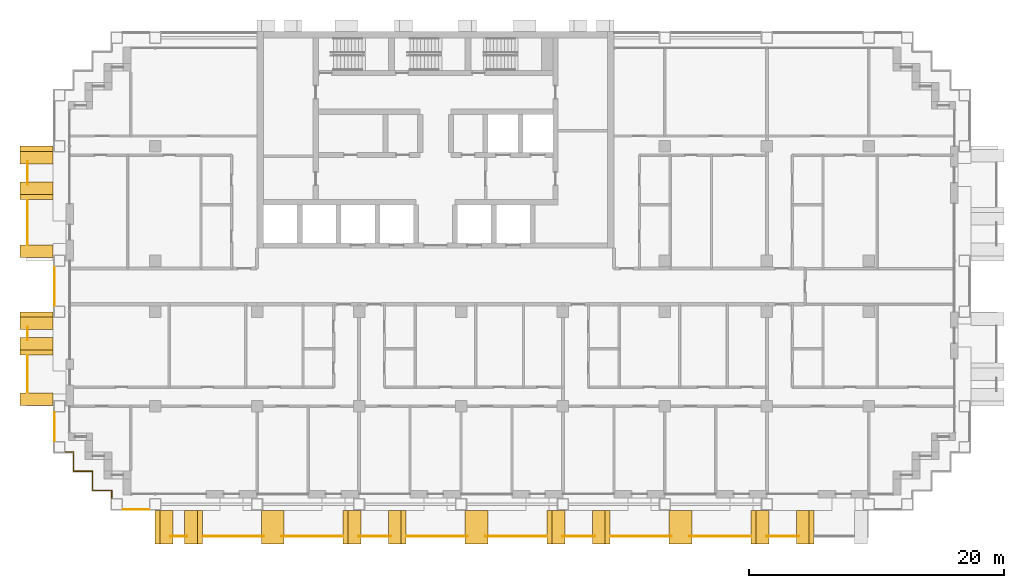
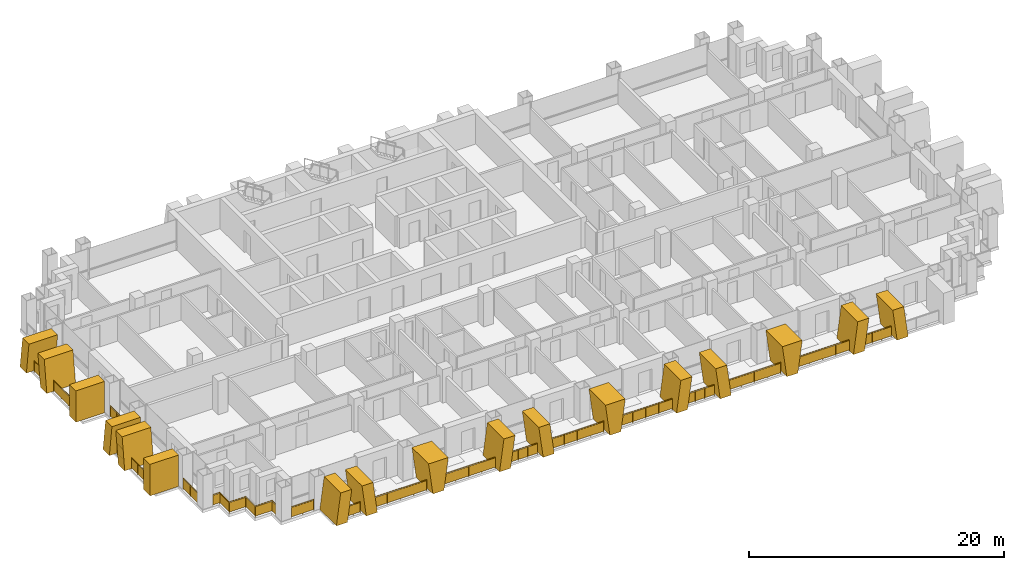
# One storey, part 14 of 17: 18 railings, 17 shading devices.
"""IFC4 building model written with IfcOpenShell, lengths in metres."""

from ifc_helpers import new_model, si_unit, direction, frame, origin, origin_2d, place, context, subcontext, project, spatial, polyline, rectangle, circle, outline, extrude, material, layer, layer_set, type_object, element, save


model = new_model("IFC4")

# Units and contexts
model_context = context("Model", 3, precision=1e-05, world=origin(), true_north=direction((0.0, 1.0)))
body_context = subcontext(model_context, "Body", "Model", "MODEL_VIEW")
ifc_project = project(units=[si_unit("LENGTHUNIT", "METRE"), si_unit("AREAUNIT", "SQUARE_METRE"), si_unit("VOLUMEUNIT", "CUBIC_METRE"), si_unit("PLANEANGLEUNIT", "RADIAN"), si_unit("MASSUNIT", "GRAM", prefix="KILO")], contexts=[model_context])

# Site, building, storey
site_placement = place(None, origin())
site = spatial("IfcSite", under=ifc_project, at=site_placement, CompositionType="ELEMENT")
building_placement = place(site_placement, origin())
building = spatial("IfcBuilding", under=site, at=building_placement, Name="Vidyagriha Tower", CompositionType="ELEMENT")
storey_placement = place(building_placement, frame((0.0, 0.0, 77.5)))
storey = spatial("IfcBuildingStorey", under=building, at=storey_placement, Name="L19", CompositionType="ELEMENT", Elevation=77.5)

# Railings
ifc_material_1 = material(Name="Steel ASTM A500 Grade C black painted", Category="steel")
railing_type_1 = type_object("IfcRailingType", Name="Balcony guard 1100", PredefinedType="BALUSTRADE", material=ifc_material_1)
railing_1_placement = place(storey_placement, frame((-32.0, 9.796630859375, 0.0)))
element("IfcRailing", 1, at=railing_1_placement, inside=storey, type_object=railing_type_1, Name="Balcony guard L19 R16.1-1", PredefinedType="BALUSTRADE", context=body_context, shape_type="SweptSolid", body=[
    extrude(circle(Radius=0.02490234375, at=origin_2d()), frame((0.0, 0.0, 1.0751953125), z_axis=(0.0, -1.0, 0.0), x_axis=(1.0, 0.0, 0.0)), (0.0, 0.0, 1.0), 1.793212890625),
    extrude(circle(Radius=0.02001953125, at=origin_2d()), origin(), (0.0, 0.0, 1.0), 1.050048828125),
    extrude(circle(Radius=0.02001953125, at=origin_2d()), frame((0.0, -0.896484375, 0.0)), (0.0, 0.0, 1.0), 1.050048828125),
    extrude(circle(Radius=0.02001953125, at=origin_2d()), frame((0.0, -1.793212890625, 0.0)), (0.0, 0.0, 1.0), 1.050048828125),
    extrude(rectangle(XDim=0.010009765625, YDim=0.900146484375, at=origin_2d()), frame((0.0, 0.0, 0.550048828125), z_axis=(0.0, -1.0, 0.0), x_axis=(1.0, 0.0, 0.0)), (0.0, 0.0, 1.0), 1.793212890625),
])
railing_2_placement = place(storey_placement, frame((-32.0, 6.75, 0.0)))
element("IfcRailing", 2, at=railing_2_placement, inside=storey, type_object=railing_type_1, Name="Balcony guard L19 R16.1-2", PredefinedType="BALUSTRADE", context=body_context, shape_type="SweptSolid", body=[
    extrude(circle(Radius=0.02490234375, at=origin_2d()), frame((0.0, 0.0, 1.0751953125), z_axis=(0.0, -1.0, 0.0), x_axis=(1.0, 0.0, 0.0)), (0.0, 0.0, 1.0), 3.449951171875),
    extrude(circle(Radius=0.02001953125, at=origin_2d()), origin(), (0.0, 0.0, 1.0), 1.050048828125),
    extrude(circle(Radius=0.02001953125, at=origin_2d()), frame((0.0, -1.14990234375, 0.0)), (0.0, 0.0, 1.0), 1.050048828125),
    extrude(circle(Radius=0.02001953125, at=origin_2d()), frame((0.0, -2.300048828125, 0.0)), (0.0, 0.0, 1.0), 1.050048828125),
    extrude(circle(Radius=0.02001953125, at=origin_2d()), frame((0.0, -3.449951171875, 0.0)), (0.0, 0.0, 1.0), 1.050048828125),
    extrude(rectangle(XDim=0.010009765625, YDim=0.900146484375, at=origin_2d()), frame((0.0, 0.0, 0.550048828125), z_axis=(0.0, -1.0, 0.0), x_axis=(1.0, 0.0, 0.0)), (0.0, 0.0, 1.0), 3.449951171875),
])
railing_3_placement = place(storey_placement, frame((-32.0, -3.203369140625, 0.0)))
element("IfcRailing", 3, at=railing_3_placement, inside=storey, type_object=railing_type_1, Name="Balcony guard L19 R16.2-1", PredefinedType="BALUSTRADE", context=body_context, shape_type="SweptSolid", body=[
    extrude(circle(Radius=0.02490234375, at=origin_2d()), frame((0.0, 0.0, 1.0751953125), z_axis=(0.0, -1.0, 0.0), x_axis=(1.0, 0.0, 0.0)), (0.0, 0.0, 1.0), 0.993408203125),
    extrude(circle(Radius=0.02001953125, at=origin_2d()), origin(), (0.0, 0.0, 1.0), 1.050048828125),
    extrude(circle(Radius=0.02001953125, at=origin_2d()), frame((0.0, -0.993408203125, 0.0)), (0.0, 0.0, 1.0), 1.050048828125),
    extrude(rectangle(XDim=0.010009765625, YDim=0.900146484375, at=origin_2d()), frame((0.0, 0.0, 0.550048828125), z_axis=(0.0, -1.0, 0.0), x_axis=(1.0, 0.0, 0.0)), (0.0, 0.0, 1.0), 0.993408203125),
])
railing_4_placement = place(storey_placement, frame((-32.0, -5.449951171875, 0.0)))
element("IfcRailing", 4, at=railing_4_placement, inside=storey, type_object=railing_type_1, Name="Balcony guard L19 R16.2-2", PredefinedType="BALUSTRADE", context=body_context, shape_type="SweptSolid", body=[
    extrude(circle(Radius=0.02490234375, at=origin_2d()), frame((0.0, 0.0, 1.0751953125), z_axis=(0.0, -1.0, 0.0), x_axis=(1.0, 0.0, 0.0)), (0.0, 0.0, 1.0), 2.85009765625),
    extrude(circle(Radius=0.02001953125, at=origin_2d()), origin(), (0.0, 0.0, 1.0), 1.050048828125),
    extrude(circle(Radius=0.02001953125, at=origin_2d()), frame((0.0, -0.949951171875, 0.0)), (0.0, 0.0, 1.0), 1.050048828125),
    extrude(circle(Radius=0.02001953125, at=origin_2d()), frame((0.0, -1.900146484375, 0.0)), (0.0, 0.0, 1.0), 1.050048828125),
    extrude(circle(Radius=0.02001953125, at=origin_2d()), frame((0.0, -2.85009765625, 0.0)), (0.0, 0.0, 1.0), 1.050048828125),
    extrude(rectangle(XDim=0.010009765625, YDim=0.900146484375, at=origin_2d()), frame((0.0, 0.0, 0.550048828125), z_axis=(0.0, -1.0, 0.0), x_axis=(1.0, 0.0, 0.0)), (0.0, 0.0, 1.0), 2.85009765625),
])
railing_5_placement = place(storey_placement, frame((-20.80224609375, -19.60009765625, 0.0)))
element("IfcRailing", 5, at=railing_5_placement, inside=storey, type_object=railing_type_1, Name="Balcony guard L19 R23.1-1", PredefinedType="BALUSTRADE", context=body_context, shape_type="SweptSolid", body=[
    extrude(circle(Radius=0.02490234375, at=origin_2d()), frame((0.0, 0.0, 1.0751953125), z_axis=(1.0, 0.0, 0.0), x_axis=(0.0, 1.0, 0.0)), (0.0, 0.0, 1.0), 1.304443359375),
    extrude(circle(Radius=0.02001953125, at=origin_2d()), origin(), (0.0, 0.0, 1.0), 1.050048828125),
    extrude(circle(Radius=0.02001953125, at=origin_2d()), frame((0.65234375, 0.0, 0.0)), (0.0, 0.0, 1.0), 1.050048828125),
    extrude(circle(Radius=0.02001953125, at=origin_2d()), frame((1.304443359375, 0.0, 0.0)), (0.0, 0.0, 1.0), 1.050048828125),
    extrude(rectangle(XDim=0.010009765625, YDim=0.900146484375, at=origin_2d()), frame((0.0, 0.0, 0.550048828125), z_axis=(1.0, 0.0, 0.0), x_axis=(0.0, 1.0, 0.0)), (0.0, 0.0, 1.0), 1.304443359375),
])
railing_6_placement = place(storey_placement, frame((-18.25, -19.60009765625, 0.0)))
element("IfcRailing", 6, at=railing_6_placement, inside=storey, type_object=railing_type_1, Name="Balcony guard L19 R23.1-2", PredefinedType="BALUSTRADE", context=body_context, shape_type="SweptSolid", body=[
    extrude(circle(Radius=0.02490234375, at=origin_2d()), frame((0.0, 0.0, 1.0751953125), z_axis=(1.0, 0.0, 0.0), x_axis=(0.0, 1.0, 0.0)), (0.0, 0.0, 1.0), 4.773681640625),
    extrude(circle(Radius=0.02001953125, at=origin_2d()), origin(), (0.0, 0.0, 1.0), 1.050048828125),
    extrude(circle(Radius=0.02001953125, at=origin_2d()), frame((1.193359375, 0.0, 0.0)), (0.0, 0.0, 1.0), 1.050048828125),
    extrude(circle(Radius=0.02001953125, at=origin_2d()), frame((2.38671875, 0.0, 0.0)), (0.0, 0.0, 1.0), 1.050048828125),
    extrude(circle(Radius=0.02001953125, at=origin_2d()), frame((3.580322265625, 0.0, 0.0)), (0.0, 0.0, 1.0), 1.050048828125),
    extrude(circle(Radius=0.02001953125, at=origin_2d()), frame((4.773681640625, 0.0, 0.0)), (0.0, 0.0, 1.0), 1.050048828125),
    extrude(rectangle(XDim=0.010009765625, YDim=0.900146484375, at=origin_2d()), frame((0.0, 0.0, 0.550048828125), z_axis=(1.0, 0.0, 0.0), x_axis=(0.0, 1.0, 0.0)), (0.0, 0.0, 1.0), 4.773681640625),
])
railing_7_placement = place(storey_placement, frame((-12.073486328125, -19.60009765625, 0.0)))
element("IfcRailing", 7, at=railing_7_placement, inside=storey, type_object=railing_type_1, Name="Balcony guard L19 R23.1-3", PredefinedType="BALUSTRADE", context=body_context, shape_type="SweptSolid", body=[
    extrude(circle(Radius=0.02490234375, at=origin_2d()), frame((0.0, 0.0, 1.0751953125), z_axis=(1.0, 0.0, 0.0), x_axis=(0.0, 1.0, 0.0)), (0.0, 0.0, 1.0), 4.7734375),
    extrude(circle(Radius=0.02001953125, at=origin_2d()), origin(), (0.0, 0.0, 1.0), 1.050048828125),
    extrude(circle(Radius=0.02001953125, at=origin_2d()), frame((1.193359375, 0.0, 0.0)), (0.0, 0.0, 1.0), 1.050048828125),
    extrude(circle(Radius=0.02001953125, at=origin_2d()), frame((2.38671875, 0.0, 0.0)), (0.0, 0.0, 1.0), 1.050048828125),
    extrude(circle(Radius=0.02001953125, at=origin_2d()), frame((3.580078125, 0.0, 0.0)), (0.0, 0.0, 1.0), 1.050048828125),
    extrude(circle(Radius=0.02001953125, at=origin_2d()), frame((4.7734375, 0.0, 0.0)), (0.0, 0.0, 1.0), 1.050048828125),
    extrude(rectangle(XDim=0.010009765625, YDim=0.900146484375, at=origin_2d()), frame((0.0, 0.0, 0.550048828125), z_axis=(1.0, 0.0, 0.0), x_axis=(0.0, 1.0, 0.0)), (0.0, 0.0, 1.0), 4.7734375),
])
railing_8_placement = place(storey_placement, frame((-6.048583984375, -19.60009765625, 0.0)))
element("IfcRailing", 8, at=railing_8_placement, inside=storey, type_object=railing_type_1, Name="Balcony guard L19 R23.1-4", PredefinedType="BALUSTRADE", context=body_context, shape_type="SweptSolid", body=[
    extrude(circle(Radius=0.02490234375, at=origin_2d()), frame((0.0, 0.0, 1.0751953125), z_axis=(1.0, 0.0, 0.0), x_axis=(0.0, 1.0, 0.0)), (0.0, 0.0, 1.0), 2.547119140625),
    extrude(circle(Radius=0.02001953125, at=origin_2d()), origin(), (0.0, 0.0, 1.0), 1.050048828125),
    extrude(circle(Radius=0.02001953125, at=origin_2d()), frame((0.84912109375, 0.0, 0.0)), (0.0, 0.0, 1.0), 1.050048828125),
    extrude(circle(Radius=0.02001953125, at=origin_2d()), frame((1.697998046875, 0.0, 0.0)), (0.0, 0.0, 1.0), 1.050048828125),
    extrude(circle(Radius=0.02001953125, at=origin_2d()), frame((2.547119140625, 0.0, 0.0)), (0.0, 0.0, 1.0), 1.050048828125),
    extrude(rectangle(XDim=0.010009765625, YDim=0.900146484375, at=origin_2d()), frame((0.0, 0.0, 0.550048828125), z_axis=(1.0, 0.0, 0.0), x_axis=(0.0, 1.0, 0.0)), (0.0, 0.0, 1.0), 2.547119140625),
])
railing_9_placement = place(storey_placement, frame((-2.25, -19.60009765625, 0.0)))
element("IfcRailing", 9, at=railing_9_placement, inside=storey, type_object=railing_type_1, Name="Balcony guard L19 R23.1-5", PredefinedType="BALUSTRADE", context=body_context, shape_type="SweptSolid", body=[
    extrude(circle(Radius=0.02490234375, at=origin_2d()), frame((0.0, 0.0, 1.0751953125), z_axis=(1.0, 0.0, 0.0), x_axis=(0.0, 1.0, 0.0)), (0.0, 0.0, 1.0), 4.773681640625),
    extrude(circle(Radius=0.02001953125, at=origin_2d()), origin(), (0.0, 0.0, 1.0), 1.050048828125),
    extrude(circle(Radius=0.02001953125, at=origin_2d()), frame((1.193359375, 0.0, 0.0)), (0.0, 0.0, 1.0), 1.050048828125),
    extrude(circle(Radius=0.02001953125, at=origin_2d()), frame((2.38671875, 0.0, 0.0)), (0.0, 0.0, 1.0), 1.050048828125),
    extrude(circle(Radius=0.02001953125, at=origin_2d()), frame((3.580322265625, 0.0, 0.0)), (0.0, 0.0, 1.0), 1.050048828125),
    extrude(circle(Radius=0.02001953125, at=origin_2d()), frame((4.773681640625, 0.0, 0.0)), (0.0, 0.0, 1.0), 1.050048828125),
    extrude(rectangle(XDim=0.010009765625, YDim=0.900146484375, at=origin_2d()), frame((0.0, 0.0, 0.550048828125), z_axis=(1.0, 0.0, 0.0), x_axis=(0.0, 1.0, 0.0)), (0.0, 0.0, 1.0), 4.773681640625),
])
railing_10_placement = place(storey_placement, frame((3.926513671875, -19.60009765625, 0.0)))
element("IfcRailing", 10, at=railing_10_placement, inside=storey, type_object=railing_type_1, Name="Balcony guard L19 R23.1-6", PredefinedType="BALUSTRADE", context=body_context, shape_type="SweptSolid", body=[
    extrude(circle(Radius=0.02490234375, at=origin_2d()), frame((0.0, 0.0, 1.0751953125), z_axis=(1.0, 0.0, 0.0), x_axis=(0.0, 1.0, 0.0)), (0.0, 0.0, 1.0), 4.7734375),
    extrude(circle(Radius=0.02001953125, at=origin_2d()), origin(), (0.0, 0.0, 1.0), 1.050048828125),
    extrude(circle(Radius=0.02001953125, at=origin_2d()), frame((1.193359375, 0.0, 0.0)), (0.0, 0.0, 1.0), 1.050048828125),
    extrude(circle(Radius=0.02001953125, at=origin_2d()), frame((2.38671875, 0.0, 0.0)), (0.0, 0.0, 1.0), 1.050048828125),
    extrude(circle(Radius=0.02001953125, at=origin_2d()), frame((3.580078125, 0.0, 0.0)), (0.0, 0.0, 1.0), 1.050048828125),
    extrude(circle(Radius=0.02001953125, at=origin_2d()), frame((4.7734375, 0.0, 0.0)), (0.0, 0.0, 1.0), 1.050048828125),
    extrude(rectangle(XDim=0.010009765625, YDim=0.900146484375, at=origin_2d()), frame((0.0, 0.0, 0.550048828125), z_axis=(1.0, 0.0, 0.0), x_axis=(0.0, 1.0, 0.0)), (0.0, 0.0, 1.0), 4.7734375),
])
railing_11_placement = place(storey_placement, frame((9.951416015625, -19.60009765625, 0.0)))
element("IfcRailing", 11, at=railing_11_placement, inside=storey, type_object=railing_type_1, Name="Balcony guard L19 R23.1-7", PredefinedType="BALUSTRADE", context=body_context, shape_type="SweptSolid", body=[
    extrude(circle(Radius=0.02490234375, at=origin_2d()), frame((0.0, 0.0, 1.0751953125), z_axis=(1.0, 0.0, 0.0), x_axis=(0.0, 1.0, 0.0)), (0.0, 0.0, 1.0), 2.547119140625),
    extrude(circle(Radius=0.02001953125, at=origin_2d()), origin(), (0.0, 0.0, 1.0), 1.050048828125),
    extrude(circle(Radius=0.02001953125, at=origin_2d()), frame((0.84912109375, 0.0, 0.0)), (0.0, 0.0, 1.0), 1.050048828125),
    extrude(circle(Radius=0.02001953125, at=origin_2d()), frame((1.697998046875, 0.0, 0.0)), (0.0, 0.0, 1.0), 1.050048828125),
    extrude(circle(Radius=0.02001953125, at=origin_2d()), frame((2.547119140625, 0.0, 0.0)), (0.0, 0.0, 1.0), 1.050048828125),
    extrude(rectangle(XDim=0.010009765625, YDim=0.900146484375, at=origin_2d()), frame((0.0, 0.0, 0.550048828125), z_axis=(1.0, 0.0, 0.0), x_axis=(0.0, 1.0, 0.0)), (0.0, 0.0, 1.0), 2.547119140625),
])
railing_12_placement = place(storey_placement, frame((13.75, -19.60009765625, 0.0)))
element("IfcRailing", 12, at=railing_12_placement, inside=storey, type_object=railing_type_1, Name="Balcony guard L19 R23.1-8", PredefinedType="BALUSTRADE", context=body_context, shape_type="SweptSolid", body=[
    extrude(circle(Radius=0.02490234375, at=origin_2d()), frame((0.0, 0.0, 1.0751953125), z_axis=(1.0, 0.0, 0.0), x_axis=(0.0, 1.0, 0.0)), (0.0, 0.0, 1.0), 4.773681640625),
    extrude(circle(Radius=0.02001953125, at=origin_2d()), origin(), (0.0, 0.0, 1.0), 1.050048828125),
    extrude(circle(Radius=0.02001953125, at=origin_2d()), frame((1.193359375, 0.0, 0.0)), (0.0, 0.0, 1.0), 1.050048828125),
    extrude(circle(Radius=0.02001953125, at=origin_2d()), frame((2.38671875, 0.0, 0.0)), (0.0, 0.0, 1.0), 1.050048828125),
    extrude(circle(Radius=0.02001953125, at=origin_2d()), frame((3.580322265625, 0.0, 0.0)), (0.0, 0.0, 1.0), 1.050048828125),
    extrude(circle(Radius=0.02001953125, at=origin_2d()), frame((4.773681640625, 0.0, 0.0)), (0.0, 0.0, 1.0), 1.050048828125),
    extrude(rectangle(XDim=0.010009765625, YDim=0.900146484375, at=origin_2d()), frame((0.0, 0.0, 0.550048828125), z_axis=(1.0, 0.0, 0.0), x_axis=(0.0, 1.0, 0.0)), (0.0, 0.0, 1.0), 4.773681640625),
])
railing_13_placement = place(storey_placement, frame((19.926513671875, -19.60009765625, 0.0)))
element("IfcRailing", 13, at=railing_13_placement, inside=storey, type_object=railing_type_1, Name="Balcony guard L19 R23.1-9", PredefinedType="BALUSTRADE", context=body_context, shape_type="SweptSolid", body=[
    extrude(circle(Radius=0.02490234375, at=origin_2d()), frame((0.0, 0.0, 1.0751953125), z_axis=(1.0, 0.0, 0.0), x_axis=(0.0, 1.0, 0.0)), (0.0, 0.0, 1.0), 4.7734375),
    extrude(circle(Radius=0.02001953125, at=origin_2d()), origin(), (0.0, 0.0, 1.0), 1.050048828125),
    extrude(circle(Radius=0.02001953125, at=origin_2d()), frame((1.193359375, 0.0, 0.0)), (0.0, 0.0, 1.0), 1.050048828125),
    extrude(circle(Radius=0.02001953125, at=origin_2d()), frame((2.38671875, 0.0, 0.0)), (0.0, 0.0, 1.0), 1.050048828125),
    extrude(circle(Radius=0.02001953125, at=origin_2d()), frame((3.580078125, 0.0, 0.0)), (0.0, 0.0, 1.0), 1.050048828125),
    extrude(circle(Radius=0.02001953125, at=origin_2d()), frame((4.7734375, 0.0, 0.0)), (0.0, 0.0, 1.0), 1.050048828125),
    extrude(rectangle(XDim=0.010009765625, YDim=0.900146484375, at=origin_2d()), frame((0.0, 0.0, 0.550048828125), z_axis=(1.0, 0.0, 0.0), x_axis=(0.0, 1.0, 0.0)), (0.0, 0.0, 1.0), 4.7734375),
])
railing_14_placement = place(storey_placement, frame((25.951416015625, -19.60009765625, 0.0)))
element("IfcRailing", 14, at=railing_14_placement, inside=storey, type_object=railing_type_1, Name="Balcony guard L19 R23.1-10", PredefinedType="BALUSTRADE", context=body_context, shape_type="SweptSolid", body=[
    extrude(circle(Radius=0.02490234375, at=origin_2d()), frame((0.0, 0.0, 1.0751953125), z_axis=(1.0, 0.0, 0.0), x_axis=(0.0, 1.0, 0.0)), (0.0, 0.0, 1.0), 2.547119140625),
    extrude(circle(Radius=0.02001953125, at=origin_2d()), origin(), (0.0, 0.0, 1.0), 1.050048828125),
    extrude(circle(Radius=0.02001953125, at=origin_2d()), frame((0.84912109375, 0.0, 0.0)), (0.0, 0.0, 1.0), 1.050048828125),
    extrude(circle(Radius=0.02001953125, at=origin_2d()), frame((1.697998046875, 0.0, 0.0)), (0.0, 0.0, 1.0), 1.050048828125),
    extrude(circle(Radius=0.02001953125, at=origin_2d()), frame((2.547119140625, 0.0, 0.0)), (0.0, 0.0, 1.0), 1.050048828125),
    extrude(rectangle(XDim=0.010009765625, YDim=0.900146484375, at=origin_2d()), frame((0.0, 0.0, 0.550048828125), z_axis=(1.0, 0.0, 0.0), x_axis=(0.0, 1.0, 0.0)), (0.0, 0.0, 1.0), 2.547119140625),
])

# Shading devices
ifc_material_2 = material(Name="Precast concrete C40/50 with buff brick facing", Category="concrete")
ifc_layer_1 = layer(ifc_material_2, 1.0)
ifc_layer_set_1 = layer_set([ifc_layer_1], Name="Precast concrete C40/50 with buff brick facing")
shading_device_type_1 = type_object("IfcShadingDeviceType", Name="Brick-faced blade fin arm leaning 8 degrees", PredefinedType="USERDEFINED", material=ifc_layer_set_1)
shading_device_1_placement = place(storey_placement, frame((-31.300048828125, 11.0, 0.0), z_axis=(0.0, 0.0, 1.0), x_axis=(0.0, -1.0, 0.0)))
element("IfcShadingDevice", 15, at=shading_device_1_placement, inside=storey, type_object=shading_device_type_1, Name="Leaning blade fin L19 R16.290a", ObjectType="BLADE FIN", PredefinedType="USERDEFINED", context=body_context, shape_type="SweptSolid", body=[
    extrude(outline(polyline([(0.0, 0.0), (1.0, 0.0), (1.39990234375, 3.0), (0.39990234375, 3.0), (0.0, 0.0)])), frame((0.0, 1.300048828125, 0.0), z_axis=(0.0, -1.0, 0.0), x_axis=(1.0, 0.0, 0.0)), (0.0, 0.0, 1.0), 2.60009765625),
])
shading_device_2_placement = place(storey_placement, frame((-31.300048828125, 8.199951171875, 0.0), z_axis=(0.0, 0.0, 1.0), x_axis=(0.0, -1.0, 0.0)))
element("IfcShadingDevice", 16, at=shading_device_2_placement, inside=storey, type_object=shading_device_type_1, Name="Leaning blade fin L19 R16.290b", ObjectType="BLADE FIN", PredefinedType="USERDEFINED", context=body_context, shape_type="SweptSolid", body=[
    extrude(outline(polyline([(0.39990234375, 0.0), (1.39990234375, 0.0), (1.0, 3.0), (0.0, 3.0), (0.39990234375, 0.0)])), frame((0.0, 1.300048828125, 0.0), z_axis=(0.0, -1.0, 0.0), x_axis=(1.0, 0.0, 0.0)), (0.0, 0.0, 1.0), 2.60009765625),
])
shading_device_3_placement = place(storey_placement, frame((-31.300048828125, -2.0, 0.0), z_axis=(0.0, 0.0, 1.0), x_axis=(0.0, -1.0, 0.0)))
element("IfcShadingDevice", 17, at=shading_device_3_placement, inside=storey, type_object=shading_device_type_1, Name="Leaning blade fin L19 R16.1590a", ObjectType="BLADE FIN", PredefinedType="USERDEFINED", context=body_context, shape_type="SweptSolid", body=[
    extrude(outline(polyline([(0.0, 0.0), (1.0, 0.0), (1.39990234375, 3.0), (0.39990234375, 3.0), (0.0, 0.0)])), frame((0.0, 1.300048828125, 0.0), z_axis=(0.0, -1.0, 0.0), x_axis=(1.0, 0.0, 0.0)), (0.0, 0.0, 1.0), 2.60009765625),
])
shading_device_4_placement = place(storey_placement, frame((-31.300048828125, -4.0, 0.0), z_axis=(0.0, 0.0, 1.0), x_axis=(0.0, -1.0, 0.0)))
element("IfcShadingDevice", 18, at=shading_device_4_placement, inside=storey, type_object=shading_device_type_1, Name="Leaning blade fin L19 R16.1590b", ObjectType="BLADE FIN", PredefinedType="USERDEFINED", context=body_context, shape_type="SweptSolid", body=[
    extrude(outline(polyline([(0.39990234375, 0.0), (1.39990234375, 0.0), (1.0, 3.0), (0.0, 3.0), (0.39990234375, 0.0)])), frame((0.0, 1.300048828125, 0.0), z_axis=(0.0, -1.0, 0.0), x_axis=(1.0, 0.0, 0.0)), (0.0, 0.0, 1.0), 2.60009765625),
])
shading_device_5_placement = place(storey_placement, frame((-22.0, -18.89990234375, 0.0)))
element("IfcShadingDevice", 19, at=shading_device_5_placement, inside=storey, type_object=shading_device_type_1, Name="Leaning blade fin L19 R23.190a", ObjectType="BLADE FIN", PredefinedType="USERDEFINED", context=body_context, shape_type="SweptSolid", body=[
    extrude(outline(polyline([(0.0, 0.0), (1.0, 0.0), (1.3857421875, 3.0), (0.3857421875, 3.0), (0.0, 0.0)])), frame((0.0, 1.300048828125, 0.0), z_axis=(0.0, -1.0, 0.0), x_axis=(1.0, 0.0, 0.0)), (0.0, 0.0, 1.0), 2.60009765625),
])
shading_device_6_placement = place(storey_placement, frame((-19.685791015625, -18.89990234375, 0.0)))
element("IfcShadingDevice", 20, at=shading_device_6_placement, inside=storey, type_object=shading_device_type_1, Name="Leaning blade fin L19 R23.190b", ObjectType="BLADE FIN", PredefinedType="USERDEFINED", context=body_context, shape_type="SweptSolid", body=[
    extrude(outline(polyline([(0.3857421875, 0.0), (1.3857421875, 0.0), (1.0, 3.0), (0.0, 3.0), (0.3857421875, 0.0)])), frame((0.0, 1.300048828125, 0.0), z_axis=(0.0, -1.0, 0.0), x_axis=(1.0, 0.0, 0.0)), (0.0, 0.0, 1.0), 2.60009765625),
])
shading_device_7_placement = place(storey_placement, frame((-7.25, -18.89990234375, 0.0)))
element("IfcShadingDevice", 21, at=shading_device_7_placement, inside=storey, type_object=shading_device_type_1, Name="Leaning blade fin L19 R23.1790a", ObjectType="BLADE FIN", PredefinedType="USERDEFINED", context=body_context, shape_type="SweptSolid", body=[
    extrude(outline(polyline([(0.0, 0.0), (1.0, 0.0), (1.39501953125, 3.0), (0.39501953125, 3.0), (0.0, 0.0)])), frame((0.0, 1.300048828125, 0.0), z_axis=(0.0, -1.0, 0.0), x_axis=(1.0, 0.0, 0.0)), (0.0, 0.0, 1.0), 2.60009765625),
])
shading_device_8_placement = place(storey_placement, frame((-3.695068359375, -18.89990234375, 0.0)))
element("IfcShadingDevice", 22, at=shading_device_8_placement, inside=storey, type_object=shading_device_type_1, Name="Leaning blade fin L19 R23.1790b", ObjectType="BLADE FIN", PredefinedType="USERDEFINED", context=body_context, shape_type="SweptSolid", body=[
    extrude(outline(polyline([(0.39501953125, 0.0), (1.39501953125, 0.0), (1.0, 3.0), (0.0, 3.0), (0.39501953125, 0.0)])), frame((0.0, 1.300048828125, 0.0), z_axis=(0.0, -1.0, 0.0), x_axis=(1.0, 0.0, 0.0)), (0.0, 0.0, 1.0), 2.60009765625),
])
shading_device_9_placement = place(storey_placement, frame((8.75, -18.89990234375, 0.0)))
element("IfcShadingDevice", 23, at=shading_device_9_placement, inside=storey, type_object=shading_device_type_1, Name="Leaning blade fin L19 R23.3390a", ObjectType="BLADE FIN", PredefinedType="USERDEFINED", context=body_context, shape_type="SweptSolid", body=[
    extrude(outline(polyline([(0.0, 0.0), (1.0, 0.0), (1.39501953125, 3.0), (0.39501953125, 3.0), (0.0, 0.0)])), frame((0.0, 1.300048828125, 0.0), z_axis=(0.0, -1.0, 0.0), x_axis=(1.0, 0.0, 0.0)), (0.0, 0.0, 1.0), 2.60009765625),
])
shading_device_10_placement = place(storey_placement, frame((12.304931640625, -18.89990234375, 0.0)))
element("IfcShadingDevice", 24, at=shading_device_10_placement, inside=storey, type_object=shading_device_type_1, Name="Leaning blade fin L19 R23.3390b", ObjectType="BLADE FIN", PredefinedType="USERDEFINED", context=body_context, shape_type="SweptSolid", body=[
    extrude(outline(polyline([(0.39501953125, 0.0), (1.39501953125, 0.0), (1.0, 3.0), (0.0, 3.0), (0.39501953125, 0.0)])), frame((0.0, 1.300048828125, 0.0), z_axis=(0.0, -1.0, 0.0), x_axis=(1.0, 0.0, 0.0)), (0.0, 0.0, 1.0), 2.60009765625),
])
shading_device_11_placement = place(storey_placement, frame((24.75, -18.89990234375, 0.0)))
element("IfcShadingDevice", 25, at=shading_device_11_placement, inside=storey, type_object=shading_device_type_1, Name="Leaning blade fin L19 R23.4990a", ObjectType="BLADE FIN", PredefinedType="USERDEFINED", context=body_context, shape_type="SweptSolid", body=[
    extrude(outline(polyline([(0.0, 0.0), (1.0, 0.0), (1.39501953125, 3.0), (0.39501953125, 3.0), (0.0, 0.0)])), frame((0.0, 1.300048828125, 0.0), z_axis=(0.0, -1.0, 0.0), x_axis=(1.0, 0.0, 0.0)), (0.0, 0.0, 1.0), 2.60009765625),
])
shading_device_12_placement = place(storey_placement, frame((28.304931640625, -18.89990234375, 0.0)))
element("IfcShadingDevice", 26, at=shading_device_12_placement, inside=storey, type_object=shading_device_type_1, Name="Leaning blade fin L19 R23.4990b", ObjectType="BLADE FIN", PredefinedType="USERDEFINED", context=body_context, shape_type="SweptSolid", body=[
    extrude(outline(polyline([(0.39501953125, 0.0), (1.39501953125, 0.0), (1.0, 3.0), (0.0, 3.0), (0.39501953125, 0.0)])), frame((0.0, 1.300048828125, 0.0), z_axis=(0.0, -1.0, 0.0), x_axis=(1.0, 0.0, 0.0)), (0.0, 0.0, 1.0), 2.60009765625),
])
ifc_material_3 = material(Name="Precast concrete C40/50 with buff brick facing", Category="concrete")
ifc_layer_2 = layer(ifc_material_3, 1.0)
ifc_layer_set_2 = layer_set([ifc_layer_2], Name="Precast concrete C40/50 with buff brick facing")
shading_device_type_2 = type_object("IfcShadingDeviceType", Name="Brick-faced blade fin forking 8 degrees", PredefinedType="USERDEFINED", material=ifc_layer_set_2)
for number, where, name in (
    (27, (-13.669921875, -18.89990234375, 0.0), "Forked blade fin L19 R23.990a"),
    (28, (2.330078125, -18.89990234375, 0.0), "Forked blade fin L19 R23.2590a"),
    (29, (18.330078125, -18.89990234375, 0.0), "Forked blade fin L19 R23.4190a"),
):
    element("IfcShadingDevice", number, at=place(storey_placement, frame(where)), inside=storey, type_object=shading_device_type_2, Name=name, ObjectType="BLADE FIN", PredefinedType="USERDEFINED", context=body_context, shape_type="SweptSolid", body=[
        extrude(outline(polyline([(0.39501953125, 0.0), (1.39501953125, 0.0), (1.7900390625, 3.0), (0.0, 3.0), (0.39501953125, 0.0)])), frame((0.0, 1.300048828125, 0.0), z_axis=(0.0, -1.0, 0.0), x_axis=(1.0, 0.0, 0.0)), (0.0, 0.0, 1.0), 2.60009765625),
    ])
ifc_material_4 = material(Name="Precast concrete C40/50 with buff brick facing", Category="concrete")
ifc_layer_3 = layer(ifc_material_4, 1.0)
ifc_layer_set_3 = layer_set([ifc_layer_3], Name="Precast concrete C40/50 with buff brick facing")
shading_device_type_3 = type_object("IfcShadingDeviceType", Name="Brick-faced blade fin stem 1000", PredefinedType="USERDEFINED", material=ifc_layer_set_3)
for number, where, z_axis, x_axis, name in (
    (30, (-31.300048828125, 3.25, 0.0), (0.0, 0.0, 1.0), (0.0, -1.0, 0.0), "Stem blade fin L19 R16.1190a"),
    (31, (-31.300048828125, -8.35009765625, 0.0), (0.0, 0.0, 1.0), (0.0, -1.0, 0.0), "Stem blade fin L19 R16.2330a"),
):
    element("IfcShadingDevice", number, at=place(storey_placement, frame(where, z_axis=z_axis, x_axis=x_axis)), inside=storey, type_object=shading_device_type_3, Name=name, ObjectType="BLADE FIN", PredefinedType="USERDEFINED", context=body_context, shape_type="SweptSolid", body=[
        extrude(outline(polyline([(0.0, 0.0), (1.0, 0.0), (1.0, 3.0), (0.0, 3.0), (0.0, 0.0)])), frame((0.0, 1.300048828125, 0.0), z_axis=(0.0, -1.0, 0.0), x_axis=(1.0, 0.0, 0.0)), (0.0, 0.0, 1.0), 2.60009765625),
    ])

# Railings
ifc_material_5 = material(Name="Steel ASTM A500 Grade C black painted", Category="steel")
railing_type_2 = type_object("IfcRailingType", Name="Gallery guard 1100", PredefinedType="GUARDRAIL", material=ifc_material_5)
railing_15_placement = place(storey_placement, frame((-29.89990234375, -12.1201171875, 0.0)))
element("IfcRailing", 32, at=railing_15_placement, inside=storey, type_object=railing_type_2, Name="Gallery guard L19 1", PredefinedType="GUARDRAIL", context=body_context, shape_type="SweptSolid", body=[
    extrude(circle(Radius=0.02490234375, at=origin_2d()), frame((0.0, 0.0, 1.0751953125), z_axis=(0.0, 1.0, 0.0), x_axis=(-1.0, 0.0, 0.0)), (0.0, 0.0, 1.0), 2.240234375),
    extrude(circle(Radius=0.02001953125, at=origin_2d()), origin(), (0.0, 0.0, 1.0), 1.050048828125),
    extrude(circle(Radius=0.02001953125, at=origin_2d()), frame((0.0, 1.1201171875, 0.0)), (0.0, 0.0, 1.0), 1.050048828125),
    extrude(circle(Radius=0.02001953125, at=origin_2d()), frame((0.0, 2.240234375, 0.0)), (0.0, 0.0, 1.0), 1.050048828125),
    extrude(rectangle(XDim=0.010009765625, YDim=0.900146484375, at=origin_2d()), frame((0.0, 0.0, 0.550048828125), z_axis=(0.0, 1.0, 0.0), x_axis=(-1.0, 0.0, 0.0)), (0.0, 0.0, 1.0), 2.240234375),
])
railing_16_placement = place(storey_placement, frame((-29.89990234375, -1.52001953125, 0.0)))
element("IfcRailing", 33, at=railing_16_placement, inside=storey, type_object=railing_type_2, Name="Gallery guard L19 2", PredefinedType="GUARDRAIL", context=body_context, shape_type="SweptSolid", body=[
    extrude(circle(Radius=0.02490234375, at=origin_2d()), frame((0.0, 0.0, 1.0751953125), z_axis=(0.0, 1.0, 0.0), x_axis=(-1.0, 0.0, 0.0)), (0.0, 0.0, 1.0), 3.0400390625),
    extrude(circle(Radius=0.02001953125, at=origin_2d()), origin(), (0.0, 0.0, 1.0), 1.050048828125),
    extrude(circle(Radius=0.02001953125, at=origin_2d()), frame((0.0, 1.013427734375, 0.0)), (0.0, 0.0, 1.0), 1.050048828125),
    extrude(circle(Radius=0.02001953125, at=origin_2d()), frame((0.0, 2.026611328125, 0.0)), (0.0, 0.0, 1.0), 1.050048828125),
    extrude(circle(Radius=0.02001953125, at=origin_2d()), frame((0.0, 3.0400390625, 0.0)), (0.0, 0.0, 1.0), 1.050048828125),
    extrude(rectangle(XDim=0.010009765625, YDim=0.900146484375, at=origin_2d()), frame((0.0, 0.0, 0.550048828125), z_axis=(0.0, 1.0, 0.0), x_axis=(-1.0, 0.0, 0.0)), (0.0, 0.0, 1.0), 3.0400390625),
])
railing_17_placement = place(storey_placement, frame((-25.39990234375, -16.6201171875, 0.0)))
element("IfcRailing", 34, at=railing_17_placement, inside=storey, type_object=railing_type_2, Name="Gallery guard L19 4", PredefinedType="GUARDRAIL", context=body_context, shape_type="SweptSolid", body=[
    extrude(circle(Radius=0.02490234375, at=origin_2d()), frame((0.0, 0.0, 1.0751953125), z_axis=(0.0, 1.0, 0.0), x_axis=(-1.0, 0.0, 0.0)), (0.0, 0.0, 1.0), 0.6201171875),
    extrude(circle(Radius=0.02490234375, at=origin_2d()), frame((0.0, 0.6201171875, 1.0751953125), z_axis=(-1.0, 0.0, 0.0), x_axis=(0.0, -1.0, 0.0)), (0.0, 0.0, 1.0), 1.5),
    extrude(circle(Radius=0.02490234375, at=origin_2d()), frame((-1.5, 0.6201171875, 1.0751953125), z_axis=(0.0, 1.0, 0.0), x_axis=(-1.0, 0.0, 0.0)), (0.0, 0.0, 1.0), 1.5),
    extrude(circle(Radius=0.02490234375, at=origin_2d()), frame((-1.5, 2.1201171875, 1.0751953125), z_axis=(-1.0, 0.0, 0.0), x_axis=(0.0, -1.0, 0.0)), (0.0, 0.0, 1.0), 1.5),
    extrude(circle(Radius=0.02490234375, at=origin_2d()), frame((-3.0, 2.1201171875, 1.0751953125), z_axis=(0.0, 1.0, 0.0), x_axis=(-1.0, 0.0, 0.0)), (0.0, 0.0, 1.0), 1.5),
    extrude(circle(Radius=0.02490234375, at=origin_2d()), frame((-3.0, 3.6201171875, 1.0751953125), z_axis=(-1.0, 0.0, 0.0), x_axis=(0.0, -1.0, 0.0)), (0.0, 0.0, 1.0), 0.6201171875),
    extrude(circle(Radius=0.02001953125, at=origin_2d()), origin(), (0.0, 0.0, 1.0), 1.050048828125),
    extrude(circle(Radius=0.02001953125, at=origin_2d()), frame((0.0, 0.6201171875, 0.0)), (0.0, 0.0, 1.0), 1.050048828125),
    extrude(circle(Radius=0.02001953125, at=origin_2d()), frame((-1.5, 0.6201171875, 0.0)), (0.0, 0.0, 1.0), 1.050048828125),
    extrude(circle(Radius=0.02001953125, at=origin_2d()), frame((-1.5, 2.1201171875, 0.0)), (0.0, 0.0, 1.0), 1.050048828125),
    extrude(circle(Radius=0.02001953125, at=origin_2d()), frame((-3.0, 2.1201171875, 0.0)), (0.0, 0.0, 1.0), 1.050048828125),
    extrude(circle(Radius=0.02001953125, at=origin_2d()), frame((-3.0, 3.6201171875, 0.0)), (0.0, 0.0, 1.0), 1.050048828125),
    extrude(circle(Radius=0.02001953125, at=origin_2d()), frame((-3.6201171875, 3.6201171875, 0.0)), (0.0, 0.0, 1.0), 1.050048828125),
    extrude(rectangle(XDim=0.010009765625, YDim=0.900146484375, at=origin_2d()), frame((0.0, 0.0, 0.550048828125), z_axis=(0.0, 1.0, 0.0), x_axis=(-1.0, 0.0, 0.0)), (0.0, 0.0, 1.0), 0.6201171875),
    extrude(rectangle(XDim=0.010009765625, YDim=0.900146484375, at=origin_2d()), frame((0.0, 0.6201171875, 0.550048828125), z_axis=(-1.0, 0.0, 0.0), x_axis=(0.0, -1.0, 0.0)), (0.0, 0.0, 1.0), 1.5),
    extrude(rectangle(XDim=0.010009765625, YDim=0.900146484375, at=origin_2d()), frame((-1.5, 0.6201171875, 0.550048828125), z_axis=(0.0, 1.0, 0.0), x_axis=(-1.0, 0.0, 0.0)), (0.0, 0.0, 1.0), 1.5),
    extrude(rectangle(XDim=0.010009765625, YDim=0.900146484375, at=origin_2d()), frame((-1.5, 2.1201171875, 0.550048828125), z_axis=(-1.0, 0.0, 0.0), x_axis=(0.0, -1.0, 0.0)), (0.0, 0.0, 1.0), 1.5),
    extrude(rectangle(XDim=0.010009765625, YDim=0.900146484375, at=origin_2d()), frame((-3.0, 2.1201171875, 0.550048828125), z_axis=(0.0, 1.0, 0.0), x_axis=(-1.0, 0.0, 0.0)), (0.0, 0.0, 1.0), 1.5),
    extrude(rectangle(XDim=0.010009765625, YDim=0.900146484375, at=origin_2d()), frame((-3.0, 3.6201171875, 0.550048828125), z_axis=(-1.0, 0.0, 0.0), x_axis=(0.0, -1.0, 0.0)), (0.0, 0.0, 1.0), 0.6201171875),
])
railing_18_placement = place(storey_placement, frame((-22.47998046875, -17.5, 0.0)))
element("IfcRailing", 35, at=railing_18_placement, inside=storey, type_object=railing_type_2, Name="Gallery guard L19 6", PredefinedType="GUARDRAIL", context=body_context, shape_type="SweptSolid", body=[
    extrude(circle(Radius=0.02490234375, at=origin_2d()), frame((0.0, 0.0, 1.0751953125), z_axis=(-1.0, 0.0, 0.0), x_axis=(0.0, -1.0, 0.0)), (0.0, 0.0, 1.0), 2.0400390625),
    extrude(circle(Radius=0.02001953125, at=origin_2d()), origin(), (0.0, 0.0, 1.0), 1.050048828125),
    extrude(circle(Radius=0.02001953125, at=origin_2d()), frame((-1.02001953125, 0.0, 0.0)), (0.0, 0.0, 1.0), 1.050048828125),
    extrude(circle(Radius=0.02001953125, at=origin_2d()), frame((-2.0400390625, 0.0, 0.0)), (0.0, 0.0, 1.0), 1.050048828125),
    extrude(rectangle(XDim=0.010009765625, YDim=0.900146484375, at=origin_2d()), frame((0.0, 0.0, 0.550048828125), z_axis=(-1.0, 0.0, 0.0), x_axis=(0.0, -1.0, 0.0)), (0.0, 0.0, 1.0), 2.0400390625),
])

save(model, "model.ifc")
